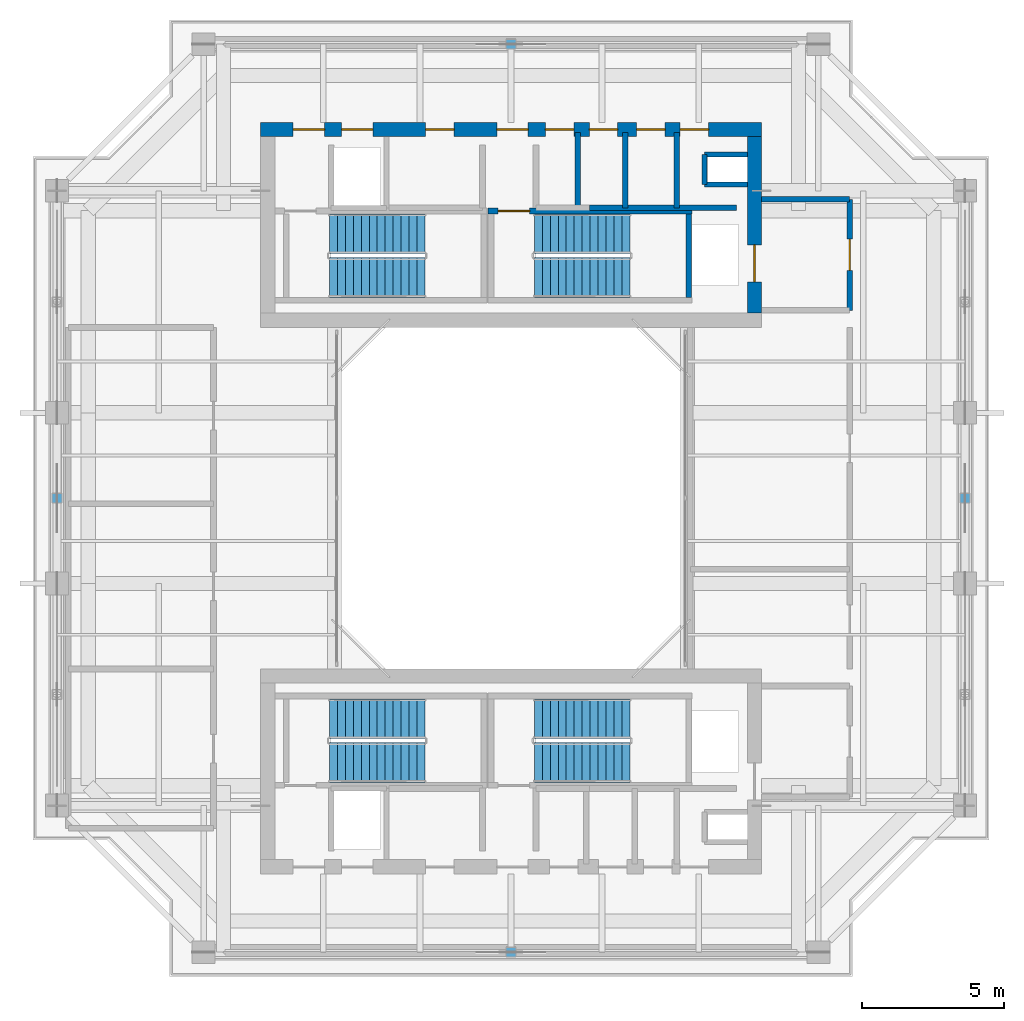
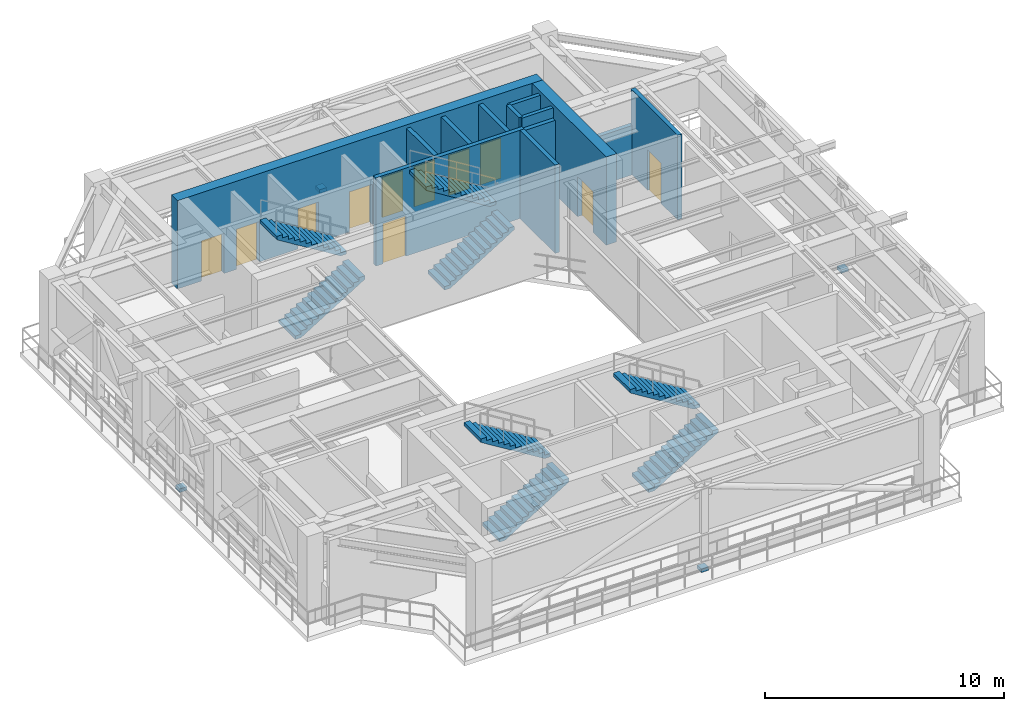
# One storey, part 7 of 10: 13 walls, 11 doors, 8 stair flights, 4 discrete accessories, 11 openings, 4 elements without a shape of their own.
"""IFC4 building model written with IfcOpenShell, lengths in metres."""

from ifc_helpers import new_model, si_unit, direction, frame, frame_2d, origin, origin_2d, place, context, subcontext, project, spatial, polyline, rectangle, outline, extrude, source, transform, mapped, material, layer, layer_set, type_object, element, fill, aggregate, save


model = new_model("IFC4")

# Units and contexts
model_context = context("Model", 3, precision=1e-05, world=origin(), true_north=direction((0.0, 1.0)))
body_context = subcontext(model_context, "Body", "Model", "MODEL_VIEW")
ifc_project = project(units=[si_unit("LENGTHUNIT", "METRE"), si_unit("AREAUNIT", "SQUARE_METRE"), si_unit("VOLUMEUNIT", "CUBIC_METRE"), si_unit("PLANEANGLEUNIT", "RADIAN"), si_unit("MASSUNIT", "GRAM", prefix="KILO"), si_unit("THERMODYNAMICTEMPERATUREUNIT", "KELVIN"), si_unit("POWERUNIT", "WATT")], contexts=[model_context])

# Site, building, storey
site_placement = place(None, origin())
site = spatial("IfcSite", under=ifc_project, at=site_placement, CompositionType="ELEMENT")
building_placement = place(site_placement, origin())
building = spatial("IfcBuilding", under=site, at=building_placement, Name="Qiaomeng Ring Towers", CompositionType="ELEMENT")
storey_placement = place(building_placement, frame((0.0, 0.0, 232.75)))
storey = spatial("IfcBuildingStorey", under=building, at=storey_placement, Name="L68", CompositionType="ELEMENT", Elevation=232.75)

# Wall
ifc_material_1 = material(Name="Autoclaved aerated concrete block", Category="concrete")
ifc_layer_1 = layer(ifc_material_1, 0.199951171875, Name="Autoclaved aerated concrete block")
ifc_layer_set_1 = layer_set([ifc_layer_1], Name="Autoclaved aerated concrete block")
wall_type_1 = type_object("IfcWallType", Name="ARC-WL-PW1", PredefinedType="PARTITIONING", material=ifc_layer_set_1)
wall_1_placement = place(storey_placement, frame((27.800048828125, 33.5, 0.0), z_axis=(0.0, 0.0, 1.0), x_axis=(1.0, 0.0, 0.0)))
element("IfcWall", 1, at=wall_1_placement, inside=storey, type_object=wall_type_1, Name="L68 Interior Wall PW1", PredefinedType="PARTITIONING", context=body_context, shape_type="SweptSolid", body=[
    extrude(rectangle(XDim=3.099853515625, YDim=0.199951171875, at=frame_2d((1.5498046875, 0.0))), origin(), (0.0, 0.0, 1.0), 2.514892578125),
])

# Wall, opening, door
wall_2_placement = place(storey_placement, frame((30.89990234375, 29.60009765625, 0.0), z_axis=(0.0, 0.0, 1.0), x_axis=(0.0, 1.0, 0.0)))
wall_2 = element("IfcWall", 2, at=wall_2_placement, inside=storey, type_object=wall_type_1, Name="L68 Interior Wall PW1", PredefinedType="PARTITIONING", context=body_context, shape_type="SweptSolid", body=[
    extrude(rectangle(XDim=3.89990234375, YDim=0.199951171875, at=frame_2d((1.949951171875, 0.0))), origin(), (0.0, 0.0, 1.0), 4.320068359375),
])
opening_1_placement = place(wall_2_placement, frame((1.39990234375, 0.0, 0.0)))
opening_1 = element("IfcOpeningElement", 3, at=opening_1_placement, cuts=wall_2, Name="Opening FD3", PredefinedType="OPENING", context=body_context, shape_type="SweptSolid", body=[
    extrude(rectangle(XDim=1.10009765625, YDim=2.050048828125, at=frame_2d((0.550048828125, 1.02490234375))), frame((0.0, 0.10986328125, 0.0), z_axis=(0.0, -1.0, 0.0), x_axis=(1.0, 0.0, 0.0)), (0.0, 0.0, 1.0), 0.219970703125),
])
ifc_material_2 = material(Name="Galvanised steel", Category="steel")
door_type_1 = type_object("IfcDoorType", Name="ARC-DR-FD3", OperationType="NOTDEFINED", PredefinedType="DOOR", material=ifc_material_2)
shared_shape_1 = source(origin(), body_context, "Body", "SweptSolid", [
    extrude(rectangle(XDim=1.10009765625, YDim=2.050048828125, at=frame_2d((0.550048828125, 1.02490234375))), frame((0.0, 0.02490234375, 0.0), z_axis=(0.0, -1.0, 0.0), x_axis=(1.0, 0.0, 0.0)), (0.0, 0.0, 1.0), 0.050048828125),
])
door_1_placement = place(opening_1_placement, origin())
door_1 = element("IfcDoor", 4, at=door_1_placement, inside=storey, type_object=door_type_1, Name="L68 North FF Lobby Door", OperationType="SINGLE_SWING_LEFT", OverallHeight=2.050048828125, OverallWidth=1.10009765625, PredefinedType="DOOR", context=body_context, shape_type="MappedRepresentation", body=[
    mapped(shared_shape_1, transform((0.0, 0.0, 0.0), x_axis=(1.0, 0.0, 0.0), y_axis=(0.0, 1.0, 0.0), z_axis=(0.0, 0.0, 1.0), scale=1.0)),
])
fill(opening_1, door_1)

# Walls
for number, where, z_axis, x_axis, name in (
    (5, (24.820068359375, 33.199951171875, 0.0), (0.0, 0.0, 1.0), (0.0, 1.0, 0.0), "L68 Interior Wall PW1"),
    (6, (21.340087890625, 33.199951171875, 0.0), (0.0, 0.0, 1.0), (0.0, 1.0, 0.0), "L68 Interior Wall PW1"),
    (7, (23.010009765625, 33.199951171875, 0.0), (0.0, 0.0, 1.0), (0.0, 1.0, 0.0), "L68 Interior Wall PW1"),
):
    element("IfcWall", number, at=place(storey_placement, frame(where, z_axis=z_axis, x_axis=x_axis)), inside=storey, type_object=wall_type_1, Name=name, PredefinedType="PARTITIONING", context=body_context, shape_type="SweptSolid", body=[
        extrude(rectangle(XDim=2.650146484375, YDim=0.199951171875, at=frame_2d((1.3251953125, 0.0))), origin(), (0.0, 0.0, 1.0), 4.320068359375),
    ])
wall_3_placement = place(storey_placement, frame((21.75, 33.199951171875, 0.0), z_axis=(0.0, 0.0, 1.0), x_axis=(1.0, 0.0, 0.0)))
element("IfcWall", 8, at=wall_3_placement, inside=storey, type_object=wall_type_1, Name="L68 Interior Wall PW1", PredefinedType="PARTITIONING", context=body_context, shape_type="SweptSolid", body=[
    extrude(rectangle(XDim=5.169921875, YDim=0.199951171875, at=frame_2d((2.5849609375, 0.0))), origin(), (0.0, 0.0, 1.0), 4.320068359375),
])
ifc_material_3 = material(Name="Concrete C40", Category="concrete")
ifc_layer_2 = layer(ifc_material_3, 0.199951171875, Name="Concrete C40")
ifc_layer_set_2 = layer_set([ifc_layer_2], Name="Concrete C40")
wall_type_2 = type_object("IfcWallType", Name="STR-WL-STSHAFT", PredefinedType="SHEAR", material=ifc_layer_set_2)
wall_4_placement = place(storey_placement, frame((25.800048828125, 34.02001953125, 0.0), z_axis=(0.0, 0.0, 1.0), x_axis=(0.0, 1.0, 0.0)))
element("IfcWall", 9, at=wall_4_placement, inside=storey, type_object=wall_type_2, Name="L68 Riser RSR1 West Shaft Wall N", PredefinedType="SHEAR", context=body_context, shape_type="SweptSolid", body=[
    extrude(rectangle(XDim=1.06005859375, YDim=0.179931640625, at=frame_2d((0.530029296875, 0.0))), origin(), (0.0, 0.0, 1.0), 4.320068359375),
])
for number, where, z_axis, x_axis, name in (
    (10, (25.800048828125, 35.080078125, 0.0), (0.0, 0.0, 1.0), (1.0, 0.0, 0.0), "L68 Riser RSR1 North Shaft Wall N"),
    (11, (25.800048828125, 34.02001953125, 0.0), (0.0, 0.0, 1.0), (1.0, 0.0, 0.0), "L68 Riser RSR1 South Shaft Wall N"),
):
    element("IfcWall", number, at=place(storey_placement, frame(where, z_axis=z_axis, x_axis=x_axis)), inside=storey, type_object=wall_type_2, Name=name, PredefinedType="SHEAR", context=body_context, shape_type="SweptSolid", body=[
        extrude(rectangle(XDim=1.5, YDim=0.179931640625, at=frame_2d((0.75, 0.0))), origin(), (0.0, 0.0, 1.0), 4.320068359375),
    ])

# Wall, opening, door
wall_5_placement = place(storey_placement, frame((18.199951171875, 33.090087890625, 0.0), z_axis=(0.0, 0.0, 1.0), x_axis=(1.0, 0.0, 0.0)))
wall_5 = element("IfcWall", 12, at=wall_5_placement, inside=storey, type_object=wall_type_2, Name="L68 Stair ST2 North Shaft Shear Wall", PredefinedType="SHEAR", context=body_context, shape_type="SweptSolid", body=[
    extrude(rectangle(XDim=7.150146484375, YDim=0.199951171875, at=frame_2d((3.5751953125, 0.0))), origin(), (0.0, 0.0, 1.0), 4.5),
])
opening_2_placement = place(wall_5_placement, frame((0.35009765625, 0.0, 0.0)))
opening_2 = element("IfcOpeningElement", 13, at=opening_2_placement, cuts=wall_5, Name="Opening FD3", PredefinedType="OPENING", context=body_context, shape_type="SweptSolid", body=[
    extrude(rectangle(XDim=1.10009765625, YDim=2.050048828125, at=frame_2d((0.550048828125, 1.02490234375))), frame((0.0, 0.10986328125, 0.0), z_axis=(0.0, -1.0, 0.0), x_axis=(1.0, 0.0, 0.0)), (0.0, 0.0, 1.0), 0.219970703125),
])
door_2_placement = place(opening_2_placement, origin())
door_2 = element("IfcDoor", 14, at=door_2_placement, inside=storey, type_object=door_type_1, Name="L68 Stair ST2 Exit Door", OperationType="SINGLE_SWING_RIGHT", OverallHeight=2.050048828125, OverallWidth=1.10009765625, PredefinedType="DOOR", context=body_context, shape_type="MappedRepresentation", body=[
    mapped(shared_shape_1, transform((0.0, 0.0, 0.0), x_axis=(1.0, 0.0, 0.0), y_axis=(0.0, 1.0, 0.0), z_axis=(0.0, 0.0, 1.0), scale=1.0)),
])
fill(opening_2, door_2)

# Wall
wall_6_placement = place(storey_placement, frame((25.25, 30.050048828125, 0.0), z_axis=(0.0, 0.0, 1.0), x_axis=(0.0, 1.0, 0.0)))
element("IfcWall", 15, at=wall_6_placement, inside=storey, type_object=wall_type_2, Name="L68 Stair ST2 East Shaft Shear Wall", PredefinedType="SHEAR", context=body_context, shape_type="SweptSolid", body=[
    extrude(rectangle(XDim=2.93994140625, YDim=0.199951171875, at=frame_2d((1.469970703125, 0.0))), origin(), (0.0, 0.0, 1.0), 4.5),
])

# Wall, openings, doors
ifc_layer_3 = layer(ifc_material_3, 0.5, Name="Concrete C40")
ifc_layer_set_3 = layer_set([ifc_layer_3], Name="Concrete C40")
wall_type_3 = type_object("IfcWallType", Name="STR-WL-SW3", PredefinedType="SHEAR", material=ifc_layer_set_3)
wall_7_placement = place(storey_placement, frame((10.199951171875, 35.949951171875, 0.0), z_axis=(0.0, 0.0, 1.0), x_axis=(1.0, 0.0, 0.0)))
wall_7 = element("IfcWall", 16, at=wall_7_placement, inside=storey, type_object=wall_type_3, Name="L68 T1NC north core shear wall", PredefinedType="SHEAR", context=body_context, shape_type="SweptSolid", body=[
    extrude(rectangle(XDim=17.60009765625, YDim=0.5, at=frame_2d((8.800048828125, 0.0))), origin(), (0.0, 0.0, 1.0), 4.5),
])
opening_3_placement = place(wall_7_placement, frame((1.14990234375, 0.0, 0.0)))
opening_3 = element("IfcOpeningElement", 17, at=opening_3_placement, cuts=wall_7, Name="Opening FD3", PredefinedType="OPENING", context=body_context, shape_type="SweptSolid", body=[
    extrude(rectangle(XDim=1.10009765625, YDim=2.050048828125, at=frame_2d((0.550048828125, 1.02490234375))), frame((0.0, 0.260009765625, 0.0), z_axis=(0.0, -1.0, 0.0), x_axis=(1.0, 0.0, 0.0)), (0.0, 0.0, 1.0), 0.52001953125),
])
opening_4_placement = place(wall_7_placement, frame((8.300048828125, 0.0, 0.0)))
opening_4 = element("IfcOpeningElement", 18, at=opening_4_placement, cuts=wall_7, Name="Opening FD3", PredefinedType="OPENING", context=body_context, shape_type="SweptSolid", body=[
    extrude(rectangle(XDim=1.10009765625, YDim=2.050048828125, at=frame_2d((0.550048828125, 1.02490234375))), frame((0.0, 0.260009765625, 0.0), z_axis=(0.0, -1.0, 0.0), x_axis=(1.0, 0.0, 0.0)), (0.0, 0.0, 1.0), 0.52001953125),
])
opening_5_placement = place(wall_7_placement, frame((2.85009765625, 0.0, 0.0)))
opening_5 = element("IfcOpeningElement", 19, at=opening_5_placement, cuts=wall_7, Name="Opening LD1", PredefinedType="OPENING", context=body_context, shape_type="SweptSolid", body=[
    extrude(rectangle(XDim=1.10009765625, YDim=2.050048828125, at=frame_2d((0.550048828125, 1.02490234375))), frame((0.0, 0.260009765625, 0.0), z_axis=(0.0, -1.0, 0.0), x_axis=(1.0, 0.0, 0.0)), (0.0, 0.0, 1.0), 0.52001953125),
])
opening_6_placement = place(wall_7_placement, frame((5.800048828125, 0.0, 0.0)))
opening_6 = element("IfcOpeningElement", 20, at=opening_6_placement, cuts=wall_7, Name="Opening FD1", PredefinedType="OPENING", context=body_context, shape_type="SweptSolid", body=[
    extrude(rectangle(XDim=1.0, YDim=2.050048828125, at=frame_2d((0.5, 1.02490234375))), frame((0.0, 0.260009765625, 0.0), z_axis=(0.0, -1.0, 0.0), x_axis=(1.0, 0.0, 0.0)), (0.0, 0.0, 1.0), 0.52001953125),
])
opening_7_placement = place(wall_7_placement, frame((14.739990234375, 0.0, 0.0)))
opening_7 = element("IfcOpeningElement", 21, at=opening_7_placement, cuts=wall_7, Name="Opening FD1", PredefinedType="OPENING", context=body_context, shape_type="SweptSolid", body=[
    extrude(rectangle(XDim=1.0, YDim=2.050048828125, at=frame_2d((0.5, 1.02490234375))), frame((0.0, 0.260009765625, 0.0), z_axis=(0.0, -1.0, 0.0), x_axis=(1.0, 0.0, 0.0)), (0.0, 0.0, 1.0), 0.52001953125),
])
opening_8_placement = place(wall_7_placement, frame((10.0048828125, 0.0, 0.0)))
opening_8 = element("IfcOpeningElement", 22, at=opening_8_placement, cuts=wall_7, Name="Opening FD1", PredefinedType="OPENING", context=body_context, shape_type="SweptSolid", body=[
    extrude(rectangle(XDim=1.0, YDim=2.050048828125, at=frame_2d((0.5, 1.02490234375))), frame((0.0, 0.260009765625, 0.0), z_axis=(0.0, -1.0, 0.0), x_axis=(1.0, 0.0, 0.0)), (0.0, 0.0, 1.0), 0.52001953125),
])
opening_9_placement = place(wall_7_placement, frame((11.550048828125, 0.0, 0.0)))
opening_9 = element("IfcOpeningElement", 23, at=opening_9_placement, cuts=wall_7, Name="Opening FD1", PredefinedType="OPENING", context=body_context, shape_type="SweptSolid", body=[
    extrude(rectangle(XDim=1.0, YDim=2.050048828125, at=frame_2d((0.5, 1.02490234375))), frame((0.0, 0.260009765625, 0.0), z_axis=(0.0, -1.0, 0.0), x_axis=(1.0, 0.0, 0.0)), (0.0, 0.0, 1.0), 0.52001953125),
])
opening_10_placement = place(wall_7_placement, frame((13.215087890625, 0.0, 0.0)))
opening_10 = element("IfcOpeningElement", 24, at=opening_10_placement, cuts=wall_7, Name="Opening FD1", PredefinedType="OPENING", context=body_context, shape_type="SweptSolid", body=[
    extrude(rectangle(XDim=1.0, YDim=2.050048828125, at=frame_2d((0.5, 1.02490234375))), frame((0.0, 0.260009765625, 0.0), z_axis=(0.0, -1.0, 0.0), x_axis=(1.0, 0.0, 0.0)), (0.0, 0.0, 1.0), 0.52001953125),
])
door_3_placement = place(opening_3_placement, origin())
door_3 = element("IfcDoor", 25, at=door_3_placement, inside=storey, type_object=door_type_1, Name="L68 Stair ST1 Lobby Door", OperationType="SINGLE_SWING_LEFT", OverallHeight=2.050048828125, OverallWidth=1.10009765625, PredefinedType="DOOR", context=body_context, shape_type="MappedRepresentation", body=[
    mapped(shared_shape_1, transform((0.0, 0.0, 0.0), x_axis=(1.0, 0.0, 0.0), y_axis=(0.0, 1.0, 0.0), z_axis=(0.0, 0.0, 1.0), scale=1.0)),
])
fill(opening_3, door_3)
door_4_placement = place(opening_4_placement, origin())
door_4 = element("IfcDoor", 26, at=door_4_placement, inside=storey, type_object=door_type_1, Name="L68 Stair ST2 Lobby Door", OperationType="SINGLE_SWING_LEFT", OverallHeight=2.050048828125, OverallWidth=1.10009765625, PredefinedType="DOOR", context=body_context, shape_type="MappedRepresentation", body=[
    mapped(shared_shape_1, transform((0.0, 0.0, 0.0), x_axis=(1.0, 0.0, 0.0), y_axis=(0.0, 1.0, 0.0), z_axis=(0.0, 0.0, 1.0), scale=1.0)),
])
fill(opening_4, door_4)
ifc_material_4 = material(Name="Stainless steel 316", Category="steel")
door_type_2 = type_object("IfcDoorType", Name="ARC-DR-LD1", OperationType="NOTDEFINED", PredefinedType="DOOR", material=ifc_material_4)
door_5_placement = place(opening_5_placement, origin())
door_5 = element("IfcDoor", 27, at=door_5_placement, inside=storey, type_object=door_type_2, Name="L68 High-Zone Lift LP5 Landing Door", OperationType="SLIDING_TO_LEFT", OverallHeight=2.050048828125, OverallWidth=1.10009765625, PredefinedType="DOOR", context=body_context, shape_type="MappedRepresentation", body=[
    mapped(shared_shape_1, transform((0.0, 0.0, 0.0), x_axis=(1.0, 0.0, 0.0), y_axis=(0.0, 1.0, 0.0), z_axis=(0.0, 0.0, 1.0), scale=1.0)),
])
fill(opening_5, door_5)
door_type_3 = type_object("IfcDoorType", Name="ARC-DR-FD1", OperationType="NOTDEFINED", PredefinedType="DOOR", material=ifc_material_2)
shared_shape_2 = source(origin(), body_context, "Body", "SweptSolid", [
    extrude(rectangle(XDim=1.0, YDim=2.050048828125, at=frame_2d((0.5, 1.02490234375))), frame((0.0, 0.02490234375, 0.0), z_axis=(0.0, -1.0, 0.0), x_axis=(1.0, 0.0, 0.0)), (0.0, 0.0, 1.0), 0.050048828125),
])
door_6_placement = place(opening_6_placement, origin())
door_6 = element("IfcDoor", 28, at=door_6_placement, inside=storey, type_object=door_type_3, Name="L68 High-Zone Facilities Office Door", OperationType="SINGLE_SWING_LEFT", OverallHeight=2.050048828125, OverallWidth=1.0, PredefinedType="DOOR", context=body_context, shape_type="MappedRepresentation", body=[
    mapped(shared_shape_2, transform((0.0, 0.0, 0.0), x_axis=(1.0, 0.0, 0.0), y_axis=(0.0, 1.0, 0.0), z_axis=(0.0, 0.0, 1.0), scale=1.0)),
])
fill(opening_6, door_6)
door_7_placement = place(opening_7_placement, origin())
door_7 = element("IfcDoor", 29, at=door_7_placement, inside=storey, type_object=door_type_3, Name="L68 North Electrical Riser Door", OperationType="SINGLE_SWING_LEFT", OverallHeight=2.050048828125, OverallWidth=1.0, PredefinedType="DOOR", context=body_context, shape_type="MappedRepresentation", body=[
    mapped(shared_shape_2, transform((0.0, 0.0, 0.0), x_axis=(1.0, 0.0, 0.0), y_axis=(0.0, 1.0, 0.0), z_axis=(0.0, 0.0, 1.0), scale=1.0)),
])
fill(opening_7, door_7)
door_8_placement = place(opening_8_placement, origin())
door_8 = element("IfcDoor", 30, at=door_8_placement, inside=storey, type_object=door_type_3, Name="L68 North Cleaners Cupboard Door", OperationType="SINGLE_SWING_LEFT", OverallHeight=2.050048828125, OverallWidth=1.0, PredefinedType="DOOR", context=body_context, shape_type="MappedRepresentation", body=[
    mapped(shared_shape_2, transform((0.0, 0.0, 0.0), x_axis=(1.0, 0.0, 0.0), y_axis=(0.0, 1.0, 0.0), z_axis=(0.0, 0.0, 1.0), scale=1.0)),
])
fill(opening_8, door_8)
door_9_placement = place(opening_9_placement, origin())
door_9 = element("IfcDoor", 31, at=door_9_placement, inside=storey, type_object=door_type_3, Name="L68 North Staff Tea Pantry Door", OperationType="SINGLE_SWING_RIGHT", OverallHeight=2.050048828125, OverallWidth=1.0, PredefinedType="DOOR", context=body_context, shape_type="MappedRepresentation", body=[
    mapped(shared_shape_2, transform((0.0, 0.0, 0.0), x_axis=(1.0, 0.0, 0.0), y_axis=(0.0, 1.0, 0.0), z_axis=(0.0, 0.0, 1.0), scale=1.0)),
])
fill(opening_9, door_9)
door_10_placement = place(opening_10_placement, origin())
door_10 = element("IfcDoor", 32, at=door_10_placement, inside=storey, type_object=door_type_3, Name="L68 North Records Study Door", OperationType="SINGLE_SWING_LEFT", OverallHeight=2.050048828125, OverallWidth=1.0, PredefinedType="DOOR", context=body_context, shape_type="MappedRepresentation", body=[
    mapped(shared_shape_2, transform((0.0, 0.0, 0.0), x_axis=(1.0, 0.0, 0.0), y_axis=(0.0, 1.0, 0.0), z_axis=(0.0, 0.0, 1.0), scale=1.0)),
])
fill(opening_10, door_10)

# Wall, opening, door
wall_8_placement = place(storey_placement, frame((27.550048828125, 29.5, 0.0), z_axis=(0.0, 0.0, 1.0), x_axis=(0.0, 1.0, 0.0)))
wall_8 = element("IfcWall", 33, at=wall_8_placement, inside=storey, type_object=wall_type_3, Name="L68 T1NC east core shear wall", PredefinedType="SHEAR", context=body_context, shape_type="SweptSolid", body=[
    extrude(rectangle(XDim=6.199951171875, YDim=0.5, at=frame_2d((3.10009765625, 0.0))), origin(), (0.0, 0.0, 1.0), 4.5),
])
opening_11_placement = place(wall_8_placement, frame((1.10009765625, 0.0, 0.0)))
opening_11 = element("IfcOpeningElement", 34, at=opening_11_placement, cuts=wall_8, Name="Opening LD2", PredefinedType="OPENING", context=body_context, shape_type="SweptSolid", body=[
    extrude(rectangle(XDim=1.300048828125, YDim=2.050048828125, at=frame_2d((0.64990234375, 1.02490234375))), frame((0.0, 0.260009765625, 0.0), z_axis=(0.0, -1.0, 0.0), x_axis=(1.0, 0.0, 0.0)), (0.0, 0.0, 1.0), 0.52001953125),
])
door_type_4 = type_object("IfcDoorType", Name="ARC-DR-LD2", OperationType="NOTDEFINED", PredefinedType="DOOR", material=ifc_material_4)
shared_shape_3 = source(origin(), body_context, "Body", "SweptSolid", [
    extrude(rectangle(XDim=1.300048828125, YDim=2.050048828125, at=frame_2d((0.64990234375, 1.02490234375))), frame((0.0, 0.02490234375, 0.0), z_axis=(0.0, -1.0, 0.0), x_axis=(1.0, 0.0, 0.0)), (0.0, 0.0, 1.0), 0.050048828125),
])
door_11_placement = place(opening_11_placement, origin())
door_11 = element("IfcDoor", 35, at=door_11_placement, inside=storey, type_object=door_type_4, Name="L68 Firefighting Lift FL1 Landing Door", OperationType="SLIDING_TO_LEFT", OverallHeight=2.050048828125, OverallWidth=1.300048828125, PredefinedType="DOOR", context=body_context, shape_type="MappedRepresentation", body=[
    mapped(shared_shape_3, transform((0.0, 0.0, 0.0), x_axis=(1.0, 0.0, 0.0), y_axis=(0.0, 1.0, 0.0), z_axis=(0.0, 0.0, 1.0), scale=1.0)),
])
fill(opening_11, door_11)

# Stair, stair flights
ifc_material_5 = material(Name="Precast concrete C40", Category="concrete")
stair_type = type_object("IfcStairType", Name="ARC-ST-450", PredefinedType="HALF_TURN_STAIR", material=ifc_material_5)
stair_1_placement = place(storey_placement, origin())
stair_1 = element("IfcStair", 36, at=stair_1_placement, inside=storey, type_object=stair_type, Name="L68 Tower 1 North Stair 1", PredefinedType="HALF_TURN_STAIR")
stair_flight_type = type_object("IfcStairFlightType", Name="ARC-ST-450-FL", PredefinedType="STRAIGHT", material=ifc_material_5)
shared_shape_4 = source(origin(), body_context, "Body", "SweptSolid", [
    extrude(outline(polyline([(0.0, 0.0), (0.0, 0.173095703125), (0.280029296875, 0.173095703125), (0.280029296875, 0.34619140625), (0.56005859375, 0.34619140625), (0.56005859375, 0.519287109375), (0.840087890625, 0.519287109375), (0.840087890625, 0.6923828125), (1.1201171875, 0.6923828125), (1.1201171875, 0.865478515625), (1.39990234375, 0.865478515625), (1.39990234375, 1.03857421875), (1.679931640625, 1.03857421875), (1.679931640625, 1.21142578125), (1.9599609375, 1.21142578125), (1.9599609375, 1.384521484375), (2.239990234375, 1.384521484375), (2.239990234375, 1.5576171875), (2.52001953125, 1.5576171875), (2.52001953125, 1.730712890625), (2.800048828125, 1.730712890625), (2.800048828125, 1.90380859375), (3.080078125, 1.90380859375), (3.080078125, 2.076904296875), (3.360107421875, 2.076904296875), (3.360107421875, 2.25), (3.360107421875, 1.900634765625), (0.28515625, 0.0), (0.0, 0.0)])), frame((0.0, 0.699951171875, 0.0), z_axis=(0.0, -1.0, 0.0), x_axis=(1.0, 0.0, 0.0)), (0.0, 0.0, 1.0), 1.39990234375),
])
stair_flight_1_placement = place(storey_placement, frame((12.6201171875, 30.75, 0.0), z_axis=(0.0, 0.0, 1.0), x_axis=(1.0, 0.0, 0.0)))
stair_flight_1 = element("IfcStairFlight", 37, at=stair_flight_1_placement, type_object=stair_flight_type, Name="ST1 flight 1", NumberOfRisers=13, NumberOfTreads=12, PredefinedType="STRAIGHT", RiserHeight=0.173076923, TreadLength=0.28, context=body_context, shape_type="MappedRepresentation", body=[
    mapped(shared_shape_4, transform((0.0, 0.0, 0.0), x_axis=(1.0, 0.0, 0.0), y_axis=(0.0, 1.0, 0.0), z_axis=(0.0, 0.0, 1.0), scale=1.0)),
])
stair_flight_2_placement = place(storey_placement, frame((15.97998046875, 32.2900390625, 2.25), z_axis=(0.0, 0.0, 1.0), x_axis=(-1.0, 0.0, 0.0)))
stair_flight_2 = element("IfcStairFlight", 38, at=stair_flight_2_placement, type_object=stair_flight_type, Name="ST1 flight 2", NumberOfRisers=13, NumberOfTreads=12, PredefinedType="STRAIGHT", RiserHeight=0.173076923, TreadLength=0.28, context=body_context, shape_type="MappedRepresentation", body=[
    mapped(shared_shape_4, transform((0.0, 0.0, 0.0), x_axis=(1.0, 0.0, 0.0), y_axis=(0.0, 1.0, 0.0), z_axis=(0.0, 0.0, 1.0), scale=1.0)),
])
aggregate(stair_1, [stair_flight_1, stair_flight_2])

stair_2_placement = place(storey_placement, origin())
stair_2 = element("IfcStair", 39, at=stair_2_placement, inside=storey, type_object=stair_type, Name="L68 Tower 1 North Stair 2", PredefinedType="HALF_TURN_STAIR")
stair_flight_3_placement = place(storey_placement, frame((19.820068359375, 30.75, 0.0), z_axis=(0.0, 0.0, 1.0), x_axis=(1.0, 0.0, 0.0)))
stair_flight_3 = element("IfcStairFlight", 40, at=stair_flight_3_placement, type_object=stair_flight_type, Name="ST2 flight 1", NumberOfRisers=13, NumberOfTreads=12, PredefinedType="STRAIGHT", RiserHeight=0.173076923, TreadLength=0.28, context=body_context, shape_type="MappedRepresentation", body=[
    mapped(shared_shape_4, transform((0.0, 0.0, 0.0), x_axis=(1.0, 0.0, 0.0), y_axis=(0.0, 1.0, 0.0), z_axis=(0.0, 0.0, 1.0), scale=1.0)),
])
stair_flight_4_placement = place(storey_placement, frame((23.179931640625, 32.2900390625, 2.25), z_axis=(0.0, 0.0, 1.0), x_axis=(-1.0, 0.0, 0.0)))
stair_flight_4 = element("IfcStairFlight", 41, at=stair_flight_4_placement, type_object=stair_flight_type, Name="ST2 flight 2", NumberOfRisers=13, NumberOfTreads=12, PredefinedType="STRAIGHT", RiserHeight=0.173076923, TreadLength=0.28, context=body_context, shape_type="MappedRepresentation", body=[
    mapped(shared_shape_4, transform((0.0, 0.0, 0.0), x_axis=(1.0, 0.0, 0.0), y_axis=(0.0, 1.0, 0.0), z_axis=(0.0, 0.0, 1.0), scale=1.0)),
])
aggregate(stair_2, [stair_flight_3, stair_flight_4])

stair_3_placement = place(storey_placement, origin())
stair_3 = element("IfcStair", 42, at=stair_3_placement, inside=storey, type_object=stair_type, Name="L68 Tower 1 South Stair 3", PredefinedType="HALF_TURN_STAIR")
stair_flight_5_placement = place(storey_placement, frame((12.6201171875, 13.7099609375, 0.0), z_axis=(0.0, 0.0, 1.0), x_axis=(1.0, 0.0, 0.0)))
stair_flight_5 = element("IfcStairFlight", 43, at=stair_flight_5_placement, type_object=stair_flight_type, Name="ST3 flight 1", NumberOfRisers=13, NumberOfTreads=12, PredefinedType="STRAIGHT", RiserHeight=0.173076923, TreadLength=0.28, context=body_context, shape_type="MappedRepresentation", body=[
    mapped(shared_shape_4, transform((0.0, 0.0, 0.0), x_axis=(1.0, 0.0, 0.0), y_axis=(0.0, 1.0, 0.0), z_axis=(0.0, 0.0, 1.0), scale=1.0)),
])
stair_flight_6_placement = place(storey_placement, frame((15.97998046875, 15.25, 2.25), z_axis=(0.0, 0.0, 1.0), x_axis=(-1.0, 0.0, 0.0)))
stair_flight_6 = element("IfcStairFlight", 44, at=stair_flight_6_placement, type_object=stair_flight_type, Name="ST3 flight 2", NumberOfRisers=13, NumberOfTreads=12, PredefinedType="STRAIGHT", RiserHeight=0.173076923, TreadLength=0.28, context=body_context, shape_type="MappedRepresentation", body=[
    mapped(shared_shape_4, transform((0.0, 0.0, 0.0), x_axis=(1.0, 0.0, 0.0), y_axis=(0.0, 1.0, 0.0), z_axis=(0.0, 0.0, 1.0), scale=1.0)),
])
aggregate(stair_3, [stair_flight_5, stair_flight_6])

stair_4_placement = place(storey_placement, origin())
stair_4 = element("IfcStair", 45, at=stair_4_placement, inside=storey, type_object=stair_type, Name="L68 Tower 1 South Stair 4", PredefinedType="HALF_TURN_STAIR")
stair_flight_7_placement = place(storey_placement, frame((19.820068359375, 13.7099609375, 0.0), z_axis=(0.0, 0.0, 1.0), x_axis=(1.0, 0.0, 0.0)))
stair_flight_7 = element("IfcStairFlight", 46, at=stair_flight_7_placement, type_object=stair_flight_type, Name="ST4 flight 1", NumberOfRisers=13, NumberOfTreads=12, PredefinedType="STRAIGHT", RiserHeight=0.173076923, TreadLength=0.28, context=body_context, shape_type="MappedRepresentation", body=[
    mapped(shared_shape_4, transform((0.0, 0.0, 0.0), x_axis=(1.0, 0.0, 0.0), y_axis=(0.0, 1.0, 0.0), z_axis=(0.0, 0.0, 1.0), scale=1.0)),
])
stair_flight_8_placement = place(storey_placement, frame((23.179931640625, 15.25, 2.25), z_axis=(0.0, 0.0, 1.0), x_axis=(-1.0, 0.0, 0.0)))
stair_flight_8 = element("IfcStairFlight", 47, at=stair_flight_8_placement, type_object=stair_flight_type, Name="ST4 flight 2", NumberOfRisers=13, NumberOfTreads=12, PredefinedType="STRAIGHT", RiserHeight=0.173076923, TreadLength=0.28, context=body_context, shape_type="MappedRepresentation", body=[
    mapped(shared_shape_4, transform((0.0, 0.0, 0.0), x_axis=(1.0, 0.0, 0.0), y_axis=(0.0, 1.0, 0.0), z_axis=(0.0, 0.0, 1.0), scale=1.0)),
])
aggregate(stair_4, [stair_flight_7, stair_flight_8])

# Discrete accessories
discrete_accessory_type = type_object("IfcDiscreteAccessoryType", Name="ARC-ACC-BRACKET", PredefinedType="BRACKET", material=ifc_material_4)
shared_shape_5 = source(origin(), body_context, "Body", "SweptSolid", [
    extrude(rectangle(XDim=0.35009765625, YDim=0.35009765625, at=origin_2d()), origin(), (0.0, 0.0, 1.0), 0.179931640625),
])
for number, where, z_axis, x_axis, name in (
    (48, (19.0, 7.050048828125, -0.009765625), (0.0, 0.0, 1.0), (1.0, 0.0, 0.0), "L68 Wind Screen Base Bracket S"),
    (49, (19.0, 38.949951171875, -0.009765625), (0.0, 0.0, 1.0), (-1.0, 0.0, 0.0), "L68 Wind Screen Base Bracket N"),
    (50, (3.050048828125, 23.0, -0.009765625), (0.0, 0.0, 1.0), (0.0, -1.0, 0.0), "L68 Wind Screen Base Bracket W"),
    (51, (34.949951171875, 23.0, -0.009765625), (0.0, 0.0, 1.0), (0.0, 1.0, 0.0), "L68 Wind Screen Base Bracket E"),
):
    element("IfcDiscreteAccessory", number, at=place(storey_placement, frame(where, z_axis=z_axis, x_axis=x_axis)), inside=storey, type_object=discrete_accessory_type, Name=name, PredefinedType="BRACKET", context=body_context, shape_type="MappedRepresentation", body=[
        mapped(shared_shape_5, transform((0.0, 0.0, 0.0), x_axis=(1.0, 0.0, 0.0), y_axis=(0.0, 1.0, 0.0), z_axis=(0.0, 0.0, 1.0), scale=1.0)),
    ])

save(model, "model.ifc")
